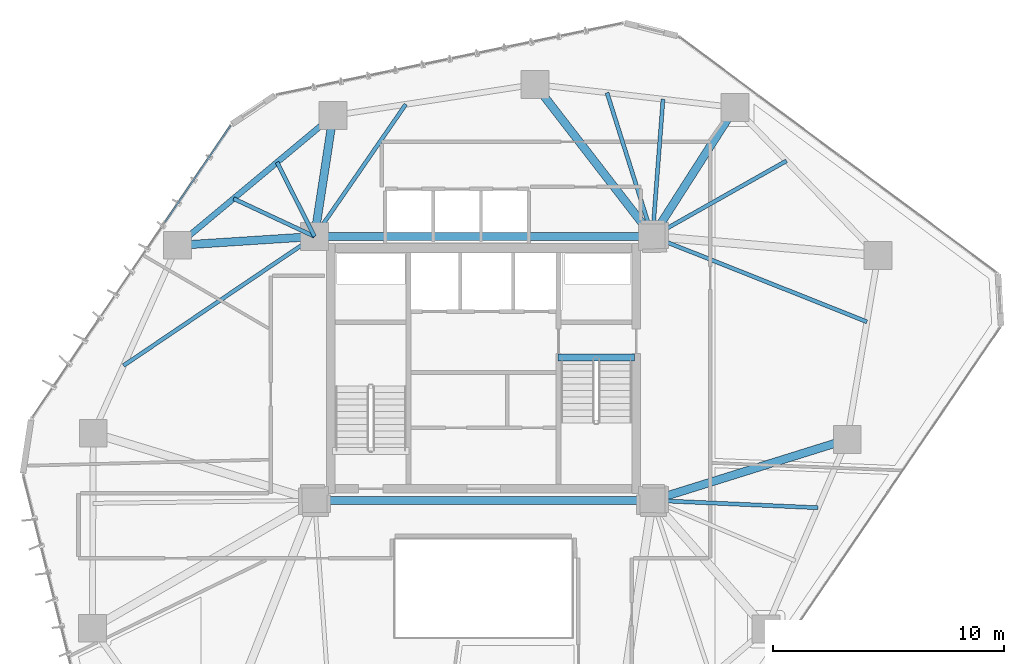
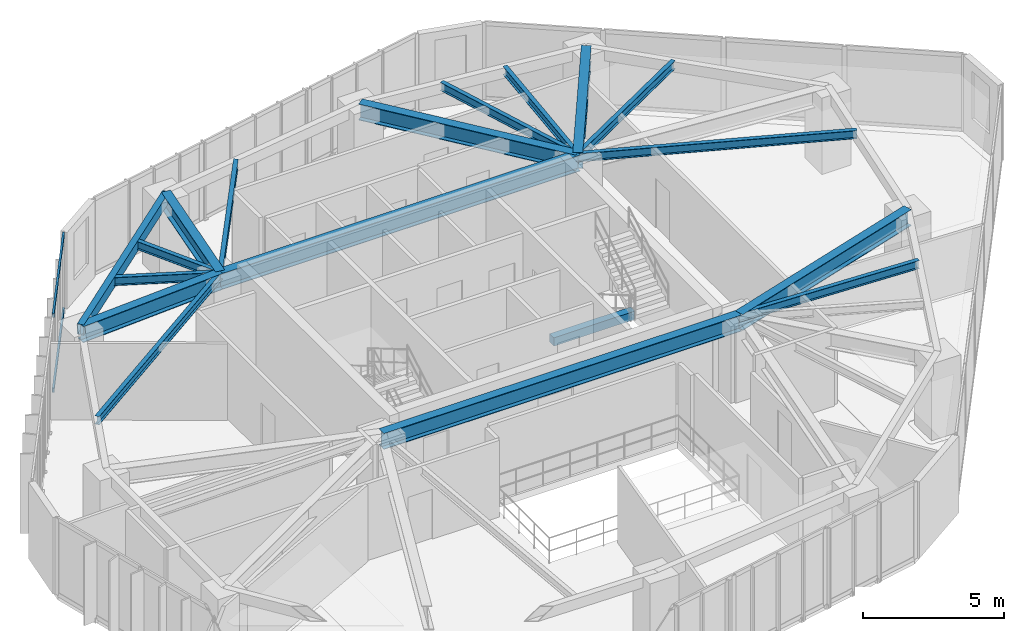
# One storey, part 10 of 22: 18 beams, 2 members, 1 element without a shape of its own.
"""IFC4 building model written with IfcOpenShell, lengths in metres."""

from ifc_helpers import new_model, si_unit, direction, frame, origin, origin_2d, place, context, subcontext, project, spatial, rectangle, hollow_rectangle, i_section, extrude, source, transform, mapped, material, layer, layer_set, material_profile, profile_set, type_object, type_shapes, element, aggregate, save


model = new_model("IFC4")

# Units and contexts
model_context = context("Model", 3, precision=1e-05, world=origin(), true_north=direction((0.0, 1.0)))
body_context = subcontext(model_context, "Body", "Model", "MODEL_VIEW")
ifc_project = project(units=[si_unit("LENGTHUNIT", "METRE"), si_unit("AREAUNIT", "SQUARE_METRE"), si_unit("VOLUMEUNIT", "CUBIC_METRE"), si_unit("PLANEANGLEUNIT", "RADIAN"), si_unit("MASSUNIT", "GRAM", prefix="KILO")], contexts=[model_context])

# Site, building, storey
site_placement = place(None, origin())
site = spatial("IfcSite", under=ifc_project, at=site_placement, CompositionType="ELEMENT")
building_placement = place(site_placement, origin())
building = spatial("IfcBuilding", under=site, at=building_placement, Name="Talar Marvaseh", CompositionType="ELEMENT")
storey_placement = place(building_placement, frame((0.0, 0.0, 125.39990234375)))
storey = spatial("IfcBuildingStorey", under=building, at=storey_placement, Name="L32", CompositionType="ELEMENT", Elevation=125.39990234375)

# Beams
ifc_material_1 = material(Name="Concrete C40/50", Category="concrete")
ifc_material_profile_1 = material_profile(ifc_material_1, rectangle(XDim=0.300048828125, YDim=0.360107421875, at=origin_2d()), Name="RC300x360")
ifc_profile_set_1 = profile_set([ifc_material_profile_1], Name="Concrete C40/50")
beam_type_1 = type_object("IfcBeamType", Name="Concrete Stair Landing Trimmer Beam RC300x360", PredefinedType="SPANDREL", material=ifc_profile_set_1)
beam_1_placement = place(storey_placement, frame((29.219970703125, 31.669921875, -0.179931640625), z_axis=(1.0, 0.0, 0.0), x_axis=(0.0, 1.0, 0.0)))
element("IfcBeam", 1, at=beam_1_placement, inside=storey, type_object=beam_type_1, Name="L32 ST-2 Stair Nosing Trimmer Beam", PredefinedType="SPANDREL", context=body_context, shape_type="SweptSolid", body=[
    extrude(rectangle(XDim=0.300048828125, YDim=0.360107421875, at=origin_2d()), origin(), (0.0, 0.0, 1.0), 3.300048828125),
])
ifc_material_2 = material(Name="Steel S355", Category="steel")
ifc_material_profile_2 = material_profile(ifc_material_2, hollow_rectangle(XDim=0.25, YDim=0.449951171875, WallThickness=0.01611328125, at=origin_2d()), Name="RHS450x250x16")
ifc_profile_set_2 = profile_set([ifc_material_profile_2], Name="Steel S355")
beam_type_2 = type_object("IfcBeamType", Name="Zone 2 Perimeter Spandrel Beam RHS450x250x16", PredefinedType="SPANDREL", material=ifc_profile_set_2)
beam_2_placement = place(storey_placement, frame((12.780029296875, 36.51708984375, 3.085205078125), z_axis=(0.76793081465, 0.640532796905, 0.0), x_axis=(-0.640532796905, 0.76793081465, 0.0)))
element("IfcBeam", 2, at=beam_2_placement, inside=storey, type_object=beam_type_2, Name="L32 Zone 2 Perimeter Spandrel Beam RHS450x250x16", PredefinedType="SPANDREL", context=body_context, shape_type="SweptSolid", body=[
    extrude(hollow_rectangle(XDim=0.25, YDim=0.449951171875, WallThickness=0.01611328125, at=origin_2d()), origin(), (0.0, 0.0, 1.0), 8.751953125),
])
ifc_material_profile_3 = material_profile(ifc_material_2, i_section(OverallWidth=0.35498046875, OverallDepth=0.695068359375, WebThickness=0.015380859375, FlangeThickness=0.02490234375, at=origin_2d()), Name="W690x217")
ifc_profile_set_3 = profile_set([ifc_material_profile_3], Name="Steel S355")
beam_type_3 = type_object("IfcBeamType", Name="Zone 2 Radial Floor Girder W690x217", PredefinedType="BEAM", material=ifc_profile_set_3)
for number, where, z_axis, x_axis, name in (
    (3, (18.699951171875, 25.5, 2.962646484375), (1.0, 0.0, 0.0), (0.0, 1.0, 0.0), "L32 Zone 2 Radial Floor Girder W690x217"),
    (4, (18.699951171875, 36.89990234375, 2.962646484375), (1.0, 0.0, 0.0), (0.0, 1.0, 0.0), "L32 Zone 2 Radial Floor Girder W690x217"),
):
    element("IfcBeam", number, at=place(storey_placement, frame(where, z_axis=z_axis, x_axis=x_axis)), inside=storey, type_object=beam_type_3, Name=name, PredefinedType="BEAM", context=body_context, shape_type="SweptSolid", body=[
        extrude(i_section(OverallWidth=0.35498046875, OverallDepth=0.695068359375, WebThickness=0.015380859375, FlangeThickness=0.02490234375, at=origin_2d()), origin(), (0.0, 0.0, 1.0), 14.60009765625),
    ])
beam_3_placement = place(storey_placement, frame((36.865966796875, 42.470947265625, 2.962646484375), z_axis=(-0.539101874952, -0.842240564461, 0.0), x_axis=(0.842240564461, -0.539101874952, 0.0)))
element("IfcBeam", 5, at=beam_3_placement, inside=storey, type_object=beam_type_3, Name="L32 Zone 2 Radial Floor Girder W690x217", PredefinedType="BEAM", context=body_context, shape_type="SweptSolid", body=[
    extrude(i_section(OverallWidth=0.35498046875, OverallDepth=0.695068359375, WebThickness=0.015380859375, FlangeThickness=0.02490234375, at=origin_2d()), origin(), (0.0, 0.0, 1.0), 6.614501953125),
])
beam_4_placement = place(storey_placement, frame((41.708984375, 28.1279296875, 2.962646484375), z_axis=(-0.954475540106, -0.298289194138, 0.0), x_axis=(0.298289194138, -0.954475540106, 0.0)))
element("IfcBeam", 6, at=beam_4_placement, inside=storey, type_object=beam_type_3, Name="L32 Zone 2 Radial Floor Girder W690x217", PredefinedType="BEAM", context=body_context, shape_type="SweptSolid", body=[
    extrude(i_section(OverallWidth=0.35498046875, OverallDepth=0.695068359375, WebThickness=0.015380859375, FlangeThickness=0.02490234375, at=origin_2d()), origin(), (0.0, 0.0, 1.0), 8.81005859375),
])
beam_5_placement = place(storey_placement, frame((12.780029296875, 36.51708984375, 2.962646484375), z_axis=(0.997915745008, 0.064530348407, 0.0), x_axis=(-0.064530348407, 0.997915745008, 0.0)))
element("IfcBeam", 7, at=beam_5_placement, inside=storey, type_object=beam_type_3, Name="L32 Zone 2 Radial Floor Girder W690x217", PredefinedType="BEAM", context=body_context, shape_type="SweptSolid", body=[
    extrude(i_section(OverallWidth=0.35498046875, OverallDepth=0.695068359375, WebThickness=0.015380859375, FlangeThickness=0.02490234375, at=origin_2d()), origin(), (0.0, 0.0, 1.0), 5.932373046875),
])
beam_6_placement = place(storey_placement, frame((19.5009765625, 42.123046875, 2.962646484375), z_axis=(-0.151588471466, -0.98844369355, 0.0), x_axis=(0.98844369355, -0.151588471466, 0.0)))
element("IfcBeam", 8, at=beam_6_placement, inside=storey, type_object=beam_type_3, Name="L32 Zone 2 Radial Floor Girder W690x217", PredefinedType="BEAM", context=body_context, shape_type="SweptSolid", body=[
    extrude(i_section(OverallWidth=0.35498046875, OverallDepth=0.695068359375, WebThickness=0.015380859375, FlangeThickness=0.02490234375, at=origin_2d()), origin(), (0.0, 0.0, 1.0), 5.2841796875),
])
beam_7_placement = place(storey_placement, frame((28.221923828125, 43.471923828125, 2.962646484375), z_axis=(0.611428258763, -0.791299870079, 0.0), x_axis=(0.791299870079, 0.611428258763, 0.0)))
element("IfcBeam", 9, at=beam_7_placement, inside=storey, type_object=beam_type_3, Name="L32 Zone 2 Radial Floor Girder W690x217", PredefinedType="BEAM", context=body_context, shape_type="SweptSolid", body=[
    extrude(i_section(OverallWidth=0.35498046875, OverallDepth=0.695068359375, WebThickness=0.015380859375, FlangeThickness=0.02490234375, at=origin_2d()), origin(), (0.0, 0.0, 1.0), 8.305419921875),
])
ifc_material_profile_4 = material_profile(ifc_material_2, i_section(OverallWidth=0.172119140625, OverallDepth=0.35791015625, WebThickness=0.0078125, FlangeThickness=0.01318359375, at=origin_2d()), Name="W360x57")
ifc_profile_set_4 = profile_set([ifc_material_profile_4], Name="Steel S355")
beam_type_4 = type_object("IfcBeamType", Name="Zone 2 Secondary Floor Joist W360x57", PredefinedType="JOIST", material=ifc_profile_set_4)
beam_8_placement = place(storey_placement, frame((39.090087890625, 40.168701171875, 3.131103515625), z_axis=(-0.870809604029, -0.491620416105, 0.0), x_axis=(0.491620416105, -0.870809604029, 0.0)))
element("IfcBeam", 10, at=beam_8_placement, inside=storey, type_object=beam_type_4, Name="L32 Zone 2 Secondary Floor Joist W360x57", PredefinedType="JOIST", context=body_context, shape_type="SweptSolid", body=[
    extrude(i_section(OverallWidth=0.172119140625, OverallDepth=0.35791015625, WebThickness=0.0078125, FlangeThickness=0.01318359375, at=origin_2d()), origin(), (0.0, 0.0, 1.0), 6.64892578125),
])
beam_9_placement = place(storey_placement, frame((42.5634765625, 33.214599609375, 3.131103515625), z_axis=(-0.929169193082, 0.369654718119, 0.0), x_axis=(-0.369654718119, -0.929169193082, 0.0)))
element("IfcBeam", 11, at=beam_9_placement, inside=storey, type_object=beam_type_4, Name="L32 Zone 2 Secondary Floor Joist W360x57", PredefinedType="JOIST", context=body_context, shape_type="SweptSolid", body=[
    extrude(i_section(OverallWidth=0.172119140625, OverallDepth=0.35791015625, WebThickness=0.0078125, FlangeThickness=0.01318359375, at=origin_2d()), origin(), (0.0, 0.0, 1.0), 9.969482421875),
])
beam_10_placement = place(storey_placement, frame((40.447998046875, 25.1806640625, 3.131103515625), z_axis=(-0.999003555358, 0.044630666385, 0.0), x_axis=(-0.044630666385, -0.999003555358, 0.0)))
element("IfcBeam", 12, at=beam_10_placement, inside=storey, type_object=beam_type_4, Name="L32 Zone 2 Secondary Floor Joist W360x57", PredefinedType="JOIST", context=body_context, shape_type="SweptSolid", body=[
    extrude(i_section(OverallWidth=0.172119140625, OverallDepth=0.35791015625, WebThickness=0.0078125, FlangeThickness=0.01318359375, at=origin_2d()), origin(), (0.0, 0.0, 1.0), 7.155029296875),
])
beam_11_placement = place(storey_placement, frame((10.44921875, 31.323486328125, 3.131103515625), z_axis=(0.828514577653, 0.55996749425, 0.0), x_axis=(-0.55996749425, 0.828514577653, 0.0)))
element("IfcBeam", 13, at=beam_11_placement, inside=storey, type_object=beam_type_4, Name="L32 Zone 2 Secondary Floor Joist W360x57", PredefinedType="JOIST", context=body_context, shape_type="SweptSolid", body=[
    extrude(i_section(OverallWidth=0.172119140625, OverallDepth=0.35791015625, WebThickness=0.0078125, FlangeThickness=0.01318359375, at=origin_2d()), origin(), (0.0, 0.0, 1.0), 9.95849609375),
])
beam_12_placement = place(storey_placement, frame((15.19970703125, 38.53515625, 3.131103515625), z_axis=(0.906003856895, -0.423269431086, 0.0), x_axis=(0.423269431086, 0.906003856895, 0.0)))
element("IfcBeam", 14, at=beam_12_placement, inside=storey, type_object=beam_type_4, Name="L32 Zone 2 Secondary Floor Joist W360x57", PredefinedType="JOIST", context=body_context, shape_type="SweptSolid", body=[
    extrude(i_section(OverallWidth=0.172119140625, OverallDepth=0.35791015625, WebThickness=0.0078125, FlangeThickness=0.01318359375, at=origin_2d()), origin(), (0.0, 0.0, 1.0), 3.86328125),
])
beam_13_placement = place(storey_placement, frame((17.081298828125, 40.104736328125, 3.131103515625), z_axis=(0.450827436945, -0.892611125909, 0.0), x_axis=(0.892611125909, 0.450827436945, 0.0)))
element("IfcBeam", 15, at=beam_13_placement, inside=storey, type_object=beam_type_4, Name="L32 Zone 2 Secondary Floor Joist W360x57", PredefinedType="JOIST", context=body_context, shape_type="SweptSolid", body=[
    extrude(i_section(OverallWidth=0.172119140625, OverallDepth=0.35791015625, WebThickness=0.0078125, FlangeThickness=0.01318359375, at=origin_2d()), origin(), (0.0, 0.0, 1.0), 3.59033203125),
])
beam_14_placement = place(storey_placement, frame((22.640625, 42.608642578125, 3.131103515625), z_axis=(-0.568085734836, -0.822969378456, 0.0), x_axis=(0.822969378456, -0.568085734836, 0.0)))
element("IfcBeam", 16, at=beam_14_placement, inside=storey, type_object=beam_type_4, Name="L32 Zone 2 Secondary Floor Joist W360x57", PredefinedType="JOIST", context=body_context, shape_type="SweptSolid", body=[
    extrude(i_section(OverallWidth=0.172119140625, OverallDepth=0.35791015625, WebThickness=0.0078125, FlangeThickness=0.01318359375, at=origin_2d()), origin(), (0.0, 0.0, 1.0), 6.936767578125),
])
beam_15_placement = place(storey_placement, frame((31.333740234375, 43.111572265625, 3.131103515625), z_axis=(0.301791238044, -0.953374033966, 0.0), x_axis=(0.953374033966, 0.301791238044, 0.0)))
element("IfcBeam", 17, at=beam_15_placement, inside=storey, type_object=beam_type_4, Name="L32 Zone 2 Secondary Floor Joist W360x57", PredefinedType="JOIST", context=body_context, shape_type="SweptSolid", body=[
    extrude(i_section(OverallWidth=0.172119140625, OverallDepth=0.35791015625, WebThickness=0.0078125, FlangeThickness=0.01318359375, at=origin_2d()), origin(), (0.0, 0.0, 1.0), 6.515380859375),
])
beam_16_placement = place(storey_placement, frame((33.754150390625, 42.831298828125, 3.131103515625), z_axis=(-0.076335577703, -0.99708218296, 0.0), x_axis=(0.99708218296, -0.076335577703, 0.0)))
element("IfcBeam", 18, at=beam_16_placement, inside=storey, type_object=beam_type_4, Name="L32 Zone 2 Secondary Floor Joist W360x57", PredefinedType="JOIST", context=body_context, shape_type="SweptSolid", body=[
    extrude(i_section(OverallWidth=0.172119140625, OverallDepth=0.35791015625, WebThickness=0.0078125, FlangeThickness=0.01318359375, at=origin_2d()), origin(), (0.0, 0.0, 1.0), 5.94873046875),
])

# Curtain wall, members
ifc_material_3 = material(Name="Architectural Aluminium", Category="aluminium")
ifc_layer = layer(ifc_material_3, 0.199951171875)
ifc_layer_set = layer_set([ifc_layer], Name="Architectural Aluminium")
curtain_wall_type = type_object("IfcCurtainWallType", Name="Unitised Acoustic Library Curtain Wall Z2", PredefinedType="NOTDEFINED", material=ifc_layer_set)
curtain_wall_placement = place(storey_placement, origin())
curtain_wall = element("IfcCurtainWall", 19, at=curtain_wall_placement, inside=storey, type_object=curtain_wall_type, Name="L32 Unitised Acoustic Library Curtain Wall Z2", PredefinedType="NOTDEFINED")
ifc_material_profile_5 = material_profile(ifc_material_3, hollow_rectangle(XDim=0.074951171875, YDim=0.179931640625, WallThickness=0.0048828125, at=origin_2d()), Name="RHS180x75x5")
ifc_profile_set_5 = profile_set([ifc_material_profile_5], Name="Architectural Aluminium")
member_type = type_object("IfcMemberType", Name="Unitised Curtain Wall Transom RHS180x75x5", PredefinedType="USERDEFINED", material=ifc_profile_set_5)
shared_shape = source(origin(), body_context, "Body", "SweptSolid", [
    extrude(hollow_rectangle(XDim=0.074951171875, YDim=0.179931640625, WallThickness=0.0048828125, at=origin_2d()), origin(), (0.0, 0.0, 1.0), 5.017578125),
])
type_shapes(member_type, [shared_shape])
member_1_placement = place(storey_placement, frame((12.24609375, 37.5283203125, 0.03759765625), z_axis=(0.561798851146, 0.827273866897, 0.0), x_axis=(-0.827273866897, 0.561798851146, 0.0)))
member_1 = element("IfcMember", 20, at=member_1_placement, type_object=member_type, Name="CW-Z2 transom 3.1", ObjectType="TRANSOM", PredefinedType="USERDEFINED", context=body_context, shape_type="MappedRepresentation", body=[
    mapped(shared_shape, transform((0.0, 0.0, 0.0), x_axis=(1.0, 0.0, 0.0), y_axis=(0.0, 1.0, 0.0), z_axis=(0.0, 0.0, 1.0), scale=1.0)),
])
member_2_placement = place(storey_placement, frame((12.24609375, 37.5283203125, 3.272705078125), z_axis=(0.561798851146, 0.827273866897, 0.0), x_axis=(-0.827273866897, 0.561798851146, 0.0)))
member_2 = element("IfcMember", 21, at=member_2_placement, type_object=member_type, Name="CW-Z2 transom 3.2", ObjectType="TRANSOM", PredefinedType="USERDEFINED", context=body_context, shape_type="MappedRepresentation", body=[
    mapped(shared_shape, transform((0.0, 0.0, 0.0), x_axis=(1.0, 0.0, 0.0), y_axis=(0.0, 1.0, 0.0), z_axis=(0.0, 0.0, 1.0), scale=1.0)),
])
aggregate(curtain_wall, [member_1, member_2])

save(model, "model.ifc")
